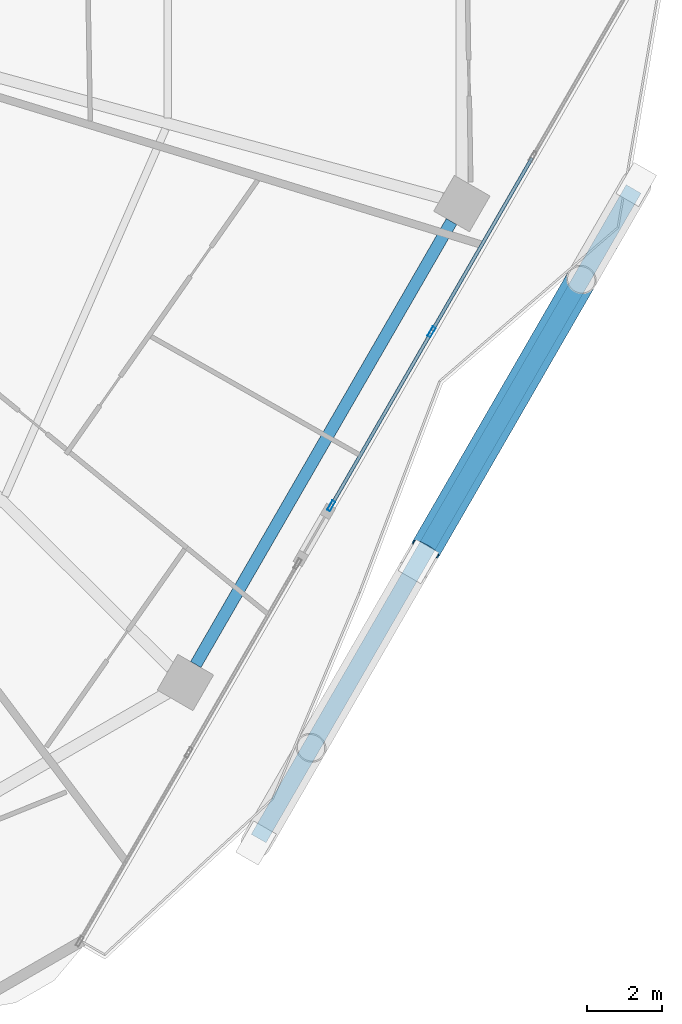
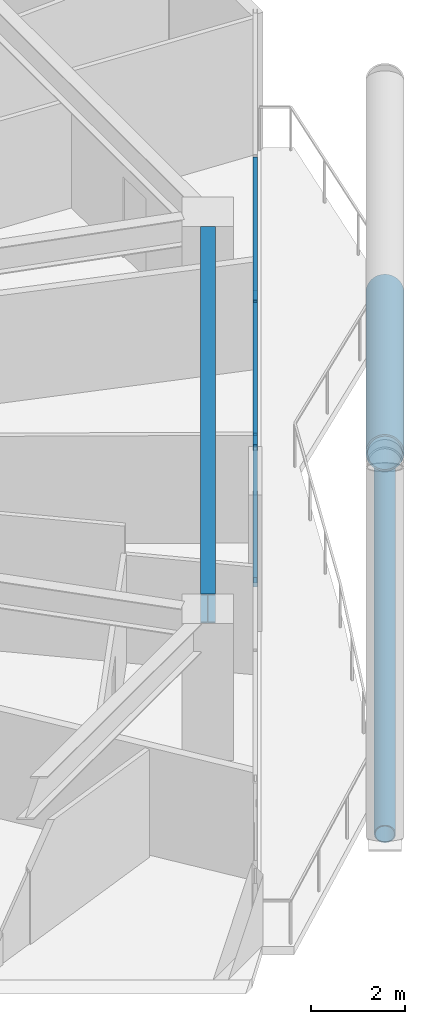
# One storey, part 12 of 36: 8 members, 1 beam, 1 element without a shape of its own.
"""IFC4 building model written with IfcOpenShell, lengths in metres."""

import ifcopenshell
import ifcopenshell.guid

model = None  # the IFC model being written
_history = None  # IfcOwnerHistory: only IFC2X3 demands one
_inside = {}  # id of a spatial element -> (the spatial element, [elements in it])
_under = {}  # id of a project, library or spatial element -> (it, [spatial elements below it])
_declared = {}  # id of a project -> (the project, [libraries it declares])
_typed = {}  # id of a type object -> (the type object, [elements of that type])
_made_of = {}  # id of a material, layer set ... -> (it, [elements and type objects made of it])


def new_model(schema):
    """Start an empty IFC model of exactly this schema.

    Asked for "IFC4X3", IfcOpenShell would pick the latest addendum, in which some entities
    have other attributes; the version numbers below select the first issue.
    IFC2X3 requires an IfcOwnerHistory on every rooted entity: one is made here for all.
    """
    global model, _history
    if schema == "IFC4X3":
        model = ifcopenshell.file(schema_version=(4, 3, 0, 0))
    else:
        model = ifcopenshell.file(schema=schema)
    _inside.clear()
    _under.clear()
    _declared.clear()
    _typed.clear()
    _made_of.clear()
    _history = None
    if model.schema == "IFC2X3":
        org = make("IfcOrganization", Name="unknown")
        user = make(
            "IfcPersonAndOrganization",
            ThePerson=make("IfcPerson", FamilyName="unknown"),
            TheOrganization=org,
        )
        app = make(
            "IfcApplication",
            ApplicationDeveloper=org,
            Version="unknown",
            ApplicationFullName="unknown",
            ApplicationIdentifier="unknown",
        )
        _history = make(
            "IfcOwnerHistory",
            OwningUser=user,
            OwningApplication=app,
            ChangeAction="ADDED",
            CreationDate=0,
        )
    return model


def make(cls, **values):
    """One entity of the class cls with the attributes given. An attribute that is None is left unset."""
    return model.create_entity(
        cls, **{name: value for name, value in values.items() if value is not None}
    )


def rooted(cls, **values):
    """An entity with a GlobalId (a new one), such as an element, a storey or a relation."""
    return make(cls, GlobalId=ifcopenshell.guid.new(), OwnerHistory=_history, **values)


def si_unit(unit_type, name, prefix=None):
    """IfcSIUnit, for example si_unit("LENGTHUNIT", "METRE", prefix="MILLI")."""
    return make("IfcSIUnit", UnitType=unit_type, Prefix=prefix, Name=name)


def assignment(units):
    """IfcUnitAssignment: the units of a project."""
    return None if units is None else make("IfcUnitAssignment", Units=units)


def point(xyz):
    """IfcCartesianPoint."""
    return None if xyz is None else make("IfcCartesianPoint", Coordinates=xyz)


def direction(xyz):
    """IfcDirection."""
    return None if xyz is None else make("IfcDirection", DirectionRatios=xyz)


def frame(location, z_axis=None, x_axis=None):
    """IfcAxis2Placement3D, a coordinate frame: its origin and axes. An axis left out is left unset."""
    return make(
        "IfcAxis2Placement3D",
        Location=point(location),
        Axis=direction(z_axis),
        RefDirection=direction(x_axis),
    )


def frame_2d(location, x_axis=None):
    """IfcAxis2Placement2D, a coordinate frame in the plane: its origin and x axis."""
    return make(
        "IfcAxis2Placement2D", Location=point(location), RefDirection=direction(x_axis)
    )


def origin():
    """The frame at (0, 0, 0) with its axes left unset."""
    return frame((0.0, 0.0, 0.0))


def origin_2d():
    """The frame at (0, 0) in the plane with its x axis left unset."""
    return frame_2d((0.0, 0.0))


def place(relative_to, where):
    """IfcLocalPlacement: puts the frame where relative to a parent placement (None: the world)."""
    return make(
        "IfcLocalPlacement", PlacementRelTo=relative_to, RelativePlacement=where
    )


def context(
    kind, dimensions, precision=None, world=None, true_north=None, identifier=None
):
    """IfcGeometricRepresentationContext, for example the 3D "Model" context."""
    return make(
        "IfcGeometricRepresentationContext",
        ContextIdentifier=identifier,
        ContextType=kind,
        CoordinateSpaceDimension=dimensions,
        Precision=precision,
        WorldCoordinateSystem=world,
        TrueNorth=true_north,
    )


def subcontext(parent, identifier, kind, view, scale=None):
    """IfcGeometricRepresentationSubContext, for example "Body" below "Model"."""
    return make(
        "IfcGeometricRepresentationSubContext",
        ContextIdentifier=identifier,
        ContextType=kind,
        ParentContext=parent,
        TargetScale=scale,
        TargetView=view,
    )


def project(units=None, contexts=None):
    """IfcProject with its units and contexts."""
    return rooted(
        "IfcProject",
        Name="project",
        RepresentationContexts=contexts,
        UnitsInContext=assignment(units),
    )


def spatial(cls, under=None, at=None, **own):
    """A site, building, storey or space (cls), placed at a placement, below another one or the project."""
    s = rooted(cls, ObjectPlacement=at, **own)
    if under is not None:
        _under.setdefault(under.id(), (under, []))[1].append(s)
    return s


def profile(cls, at=None, kind="AREA", **sizes):
    """A parametric profile (cls). Its sizes go by their IFC names, for example OverallWidth=200.0."""
    return make(cls, ProfileType=kind, Position=at, **sizes)


def hollow_rectangle(**sizes):
    """IfcRectangleHollowProfileDef."""
    return profile("IfcRectangleHollowProfileDef", **sizes)


def hollow_circle(**sizes):
    """IfcCircleHollowProfileDef."""
    return profile("IfcCircleHollowProfileDef", **sizes)


def i_section(**sizes):
    """IfcIShapeProfileDef."""
    return profile("IfcIShapeProfileDef", **sizes)


def extrude(swept, where, along, depth):
    """IfcExtrudedAreaSolid: the profile swept, set in the frame where, extruded along a direction by depth."""
    return make(
        "IfcExtrudedAreaSolid",
        SweptArea=swept,
        Position=where,
        ExtrudedDirection=direction(along),
        Depth=depth,
    )


def shape(context_of_items, identifier, shape_type, items):
    """IfcShapeRepresentation: the items that make up one representation, for example the "Body"."""
    return make(
        "IfcShapeRepresentation",
        ContextOfItems=context_of_items,
        RepresentationIdentifier=identifier,
        RepresentationType=shape_type,
        Items=items,
    )


def material(Name=None, Category=None):
    """IfcMaterial."""
    return make("IfcMaterial", Name=Name, Category=Category)


def material_profile(
    of_material, cross_section, Name=None, Category=None, Priority=None
):
    """IfcMaterialProfile: a cross section and its material."""
    return make(
        "IfcMaterialProfile",
        Name=Name,
        Material=of_material,
        Profile=cross_section,
        Priority=Priority,
        Category=Category,
    )


def profile_set(profiles, Name=None, composite=None):
    """IfcMaterialProfileSet."""
    return make(
        "IfcMaterialProfileSet",
        Name=Name,
        MaterialProfiles=profiles,
        CompositeProfile=composite,
    )


def made_of(thing, what):
    """Note that an element or type object is made of a material, layer set ...; save() writes the relation."""
    if what is not None:
        _made_of.setdefault(what.id(), (what, []))[1].append(thing)
    return thing


def type_object(cls, material=None, **own):
    """A type object (cls), such as IfcWallType, which elements share."""
    return made_of(rooted(cls, **own), material)


def element(
    cls,
    number,
    at=None,
    inside=None,
    cuts=None,
    type_object=None,
    material=None,
    context=None,
    identifier="Body",
    shape_type=None,
    held_by="IfcProductDefinitionShape",
    body=None,
    shapes=None,
    **own,
):
    """One element of the class cls, such as IfcWall. Its Tag is "e" and its number.

    at: its placement. inside: the storey or other place that contains it. cuts: it is an
    opening in that element (IfcRelVoidsElement). A single representation is given by context,
    identifier, shape_type and body (its items); several are given by shapes. held_by: the class
    of the entity that holds the representations. save() writes the other relations.
    """
    e = rooted(cls, Tag="e%d" % number, ObjectPlacement=at, **own)
    if body is not None:
        shapes = [shape(context, identifier, shape_type, body)]
    if shapes is not None:
        e.Representation = make(held_by, Representations=shapes)
    if inside is not None:
        _inside.setdefault(inside.id(), (inside, []))[1].append(e)
    if cuts is not None:
        rooted(
            "IfcRelVoidsElement", RelatingBuildingElement=cuts, RelatedOpeningElement=e
        )
    if type_object is not None:
        _typed.setdefault(type_object.id(), (type_object, []))[1].append(e)
    return made_of(e, material)


def aggregate(whole, parts):
    """IfcRelAggregates: a whole, such as a stair, and the parts it consists of."""
    return rooted("IfcRelAggregates", RelatingObject=whole, RelatedObjects=parts)


def save(model, path):
    """Write the relations noted so far, then the file.

    IfcRelAggregates (storeys below a building ...), IfcRelContainedInSpatialStructure (elements
    in a storey), IfcRelDefinesByType, IfcRelAssociatesMaterial and IfcRelDeclares: one each for
    every whole, place, type object, material and project.
    """
    for whole, parts in _under.values():
        aggregate(whole, parts)
    for where, things in _inside.values():
        rooted(
            "IfcRelContainedInSpatialStructure",
            RelatedElements=things,
            RelatingStructure=where,
        )
    for kind, things in _typed.values():
        rooted("IfcRelDefinesByType", RelatedObjects=things, RelatingType=kind)
    for what, things in _made_of.values():
        rooted("IfcRelAssociatesMaterial", RelatedObjects=things, RelatingMaterial=what)
    for by, libraries in _declared.values():
        rooted("IfcRelDeclares", RelatingContext=by, RelatedDefinitions=libraries)
    model.write(path)


model = new_model("IFC4")

# Units and contexts
model_context = context("Model", 3, precision=1e-05, world=origin(), true_north=direction((0.0, 1.0)))
body_context = subcontext(model_context, "Body", "Model", "MODEL_VIEW")
ifc_project = project(units=[si_unit("LENGTHUNIT", "METRE"), si_unit("AREAUNIT", "SQUARE_METRE"), si_unit("VOLUMEUNIT", "CUBIC_METRE"), si_unit("PLANEANGLEUNIT", "RADIAN"), si_unit("MASSUNIT", "GRAM", prefix="KILO")], contexts=[model_context])

# Site, building, storey
site_placement = place(None, origin())
site = spatial("IfcSite", under=ifc_project, at=site_placement, CompositionType="ELEMENT")
building_placement = place(site_placement, origin())
building = spatial("IfcBuilding", under=site, at=building_placement, Name="Zuhravey Tower", CompositionType="ELEMENT")
storey_placement = place(building_placement, frame((0.0, 0.0, 107.60009765625)))
storey = spatial("IfcBuildingStorey", under=building, at=storey_placement, Name="L26", CompositionType="ELEMENT", Elevation=107.60009765625)

# Curtain wall, members
ifc_material_1 = material(Name="Thermally broken anodised aluminium", Category="aluminium")
curtain_wall_type = type_object("IfcCurtainWallType", Name="Zone 1-2 Residential Curtain Wall CW3", PredefinedType="NOTDEFINED", material=ifc_material_1)
curtain_wall_placement = place(storey_placement, origin())
curtain_wall = element("IfcCurtainWall", 1, at=curtain_wall_placement, inside=storey, type_object=curtain_wall_type, Name="L26 CW3 CW-L26-F6-1", PredefinedType="NOTDEFINED")
ifc_material_2 = material(Name="Anodised aluminium", Category="aluminium")
ifc_material_profile_1 = material_profile(ifc_material_2, hollow_rectangle(XDim=0.090087890625, YDim=0.284912109375, WallThickness=0.0048828125, at=origin_2d()), Name="ALU-RHS-90x285x5")
ifc_profile_set_1 = profile_set([ifc_material_profile_1], Name="Anodised aluminium")
member_type_1 = type_object("IfcMemberType", Name="Curtain-Wall Mullion 90x180", PredefinedType="MULLION", material=ifc_profile_set_1)
member_1_placement = place(storey_placement, frame((63.0810546875, 20.98876953125, 0.0), z_axis=(0.0, 0.0, 1.0), x_axis=(0.866026488417, -0.499998121356, 0.0)))
member_1 = element("IfcMember", 2, at=member_1_placement, type_object=member_type_1, Name="CW3 mullion 3", PredefinedType="MULLION", context=body_context, shape_type="SweptSolid", body=[
    extrude(hollow_rectangle(XDim=0.090087890625, YDim=0.284912109375, WallThickness=0.0048828125, at=origin_2d()), origin(), (0.0, 0.0, 1.0), 3.5498046875),
])
member_2_placement = place(storey_placement, frame((60.40478515625, 16.353271484375, 0.0), z_axis=(0.0, 0.0, 1.0), x_axis=(0.866026488417, -0.499998121356, 0.0)))
member_2 = element("IfcMember", 3, at=member_2_placement, type_object=member_type_1, Name="CW3 mullion 4", PredefinedType="MULLION", context=body_context, shape_type="SweptSolid", body=[
    extrude(hollow_rectangle(XDim=0.090087890625, YDim=0.284912109375, WallThickness=0.0048828125, at=origin_2d()), origin(), (0.0, 0.0, 1.0), 3.5498046875),
])
ifc_material_profile_2 = material_profile(ifc_material_2, hollow_rectangle(XDim=0.090087890625, YDim=0.14990234375, WallThickness=0.0048828125, at=origin_2d()), Name="ALU-RHS-90x150x5")
ifc_profile_set_2 = profile_set([ifc_material_profile_2], Name="Anodised aluminium")
member_type_2 = type_object("IfcMemberType", Name="Curtain-Wall Transom 90x150", PredefinedType="USERDEFINED", material=ifc_profile_set_2)
member_3_placement = place(storey_placement, frame((65.75732421875, 25.624267578125, 0.044921875), z_axis=(-0.500007813417, -0.866020892659, 0.0), x_axis=(0.866020892659, -0.500007813417, 0.0)))
member_3 = element("IfcMember", 4, at=member_3_placement, type_object=member_type_2, Name="CW3 transom 2.1", ObjectType="TRANSOM", PredefinedType="USERDEFINED", context=body_context, shape_type="SweptSolid", body=[
    extrude(hollow_rectangle(XDim=0.090087890625, YDim=0.14990234375, WallThickness=0.0048828125, at=origin_2d()), origin(), (0.0, 0.0, 1.0), 5.3076171875),
])
member_4_placement = place(storey_placement, frame((65.75732421875, 25.624267578125, 3.5048828125), z_axis=(-0.500007813417, -0.866020892659, 0.0), x_axis=(0.866020892659, -0.500007813417, 0.0)))
member_4 = element("IfcMember", 5, at=member_4_placement, type_object=member_type_2, Name="CW3 transom 2.2", ObjectType="TRANSOM", PredefinedType="USERDEFINED", context=body_context, shape_type="SweptSolid", body=[
    extrude(hollow_rectangle(XDim=0.090087890625, YDim=0.14990234375, WallThickness=0.0048828125, at=origin_2d()), origin(), (0.0, 0.0, 1.0), 5.3076171875),
])
member_5_placement = place(storey_placement, frame((63.05859375, 20.94970703125, 0.044921875), z_axis=(-0.500020964445, -0.866013299618, 0.0), x_axis=(0.866013299618, -0.500020964445, 0.0)))
member_5 = element("IfcMember", 6, at=member_5_placement, type_object=member_type_2, Name="CW3 transom 3.1", ObjectType="TRANSOM", PredefinedType="USERDEFINED", context=body_context, shape_type="SweptSolid", body=[
    extrude(hollow_rectangle(XDim=0.090087890625, YDim=0.14990234375, WallThickness=0.0048828125, at=origin_2d()), origin(), (0.0, 0.0, 1.0), 5.262451171875),
])
member_6_placement = place(storey_placement, frame((63.05859375, 20.94970703125, 3.5048828125), z_axis=(-0.500020964445, -0.866013299618, 0.0), x_axis=(0.866013299618, -0.500020964445, 0.0)))
member_6 = element("IfcMember", 7, at=member_6_placement, type_object=member_type_2, Name="CW3 transom 3.2", ObjectType="TRANSOM", PredefinedType="USERDEFINED", context=body_context, shape_type="SweptSolid", body=[
    extrude(hollow_rectangle(XDim=0.090087890625, YDim=0.14990234375, WallThickness=0.0048828125, at=origin_2d()), origin(), (0.0, 0.0, 1.0), 5.262451171875),
])
aggregate(curtain_wall, [member_1, member_2, member_3, member_4, member_5, member_6])

# Members
ifc_material_3 = material(Name="Steel SM355", Category="steel")
ifc_material_profile_3 = material_profile(ifc_material_3, hollow_circle(Radius=0.228515625, WallThickness=0.02197265625, at=origin_2d()), Name="CHS-457.2x22")
ifc_profile_set_3 = profile_set([ifc_material_profile_3], Name="Steel SM355")
member_type_3 = type_object("IfcMemberType", Name="Exoskeleton Ring Tie CHS457x22", PredefinedType="CHORD", material=ifc_profile_set_3)
member_7_placement = place(storey_placement, frame((58.470703125, 7.483154296875, -0.464111328125), z_axis=(0.499987058157, 0.866032875632, 0.0), x_axis=(-0.866032875632, 0.499987058157, 0.0)))
element("IfcMember", 8, at=member_7_placement, inside=storey, type_object=member_type_3, Name="L26 Exoskeleton Face 6 Tie EXR1", PredefinedType="CHORD", context=body_context, shape_type="SweptSolid", body=[
    extrude(hollow_circle(Radius=0.228515625, WallThickness=0.02197265625, at=origin_2d()), origin(), (0.0, 0.0, 1.0), 19.99365234375),
])
ifc_material_4 = material(Name="Steel SM460", Category="steel")
ifc_material_profile_4 = material_profile(ifc_material_4, hollow_circle(Radius=0.406494140625, WallThickness=0.035888671875, at=origin_2d()), Name="CHS-812.8x36")
ifc_profile_set_4 = profile_set([ifc_material_profile_4], Name="Steel SM460")
member_type_4 = type_object("IfcMemberType", Name="Exoskeleton Zone 1 Diagrid CHS813x36", PredefinedType="BRACE", material=ifc_profile_set_4)
member_8_placement = place(storey_placement, frame((68.511474609375, 24.87451171875, -0.447021484375), z_axis=(-0.475188029637, -0.823049078063, 0.311105370557), x_axis=(0.866025211119, -0.500000333706, 0.0)))
element("IfcMember", 9, at=member_8_placement, inside=storey, type_object=member_type_4, Name="L26 Face 6 Split Diagrid Brace 3A", PredefinedType="BRACE", context=body_context, shape_type="SweptSolid", body=[
    extrude(hollow_circle(Radius=0.406494140625, WallThickness=0.035888671875, at=origin_2d()), origin(), (0.0, 0.0, 1.0), 11.763427734375),
])

# Beam
ifc_material_profile_5 = material_profile(ifc_material_3, i_section(OverallWidth=0.320068359375, OverallDepth=0.75, WebThickness=0.013916015625, FlangeThickness=0.02490234375, at=origin_2d()), Name="H-750x320x14x25")
ifc_profile_set_5 = profile_set([ifc_material_profile_5], Name="Steel SM355")
beam_type = type_object("IfcBeamType", Name="Perimeter Ring Beam H750x320", PredefinedType="BEAM", material=ifc_profile_set_5)
beam_placement = place(storey_placement, frame((56.79541015625, 12.1220703125, 3.1748046875), z_axis=(0.500008177929, 0.866020682204, 0.0), x_axis=(-0.866020682204, 0.500008177929, 0.0)))
element("IfcBeam", 10, at=beam_placement, inside=storey, type_object=beam_type, Name="L26 PB1 BM-L26-PB-11", PredefinedType="BEAM", context=body_context, shape_type="SweptSolid", body=[
    extrude(i_section(OverallWidth=0.320068359375, OverallDepth=0.75, WebThickness=0.013916015625, FlangeThickness=0.02490234375, at=origin_2d()), origin(), (0.0, 0.0, 1.0), 13.634033203125),
])

save(model, "model.ifc")
